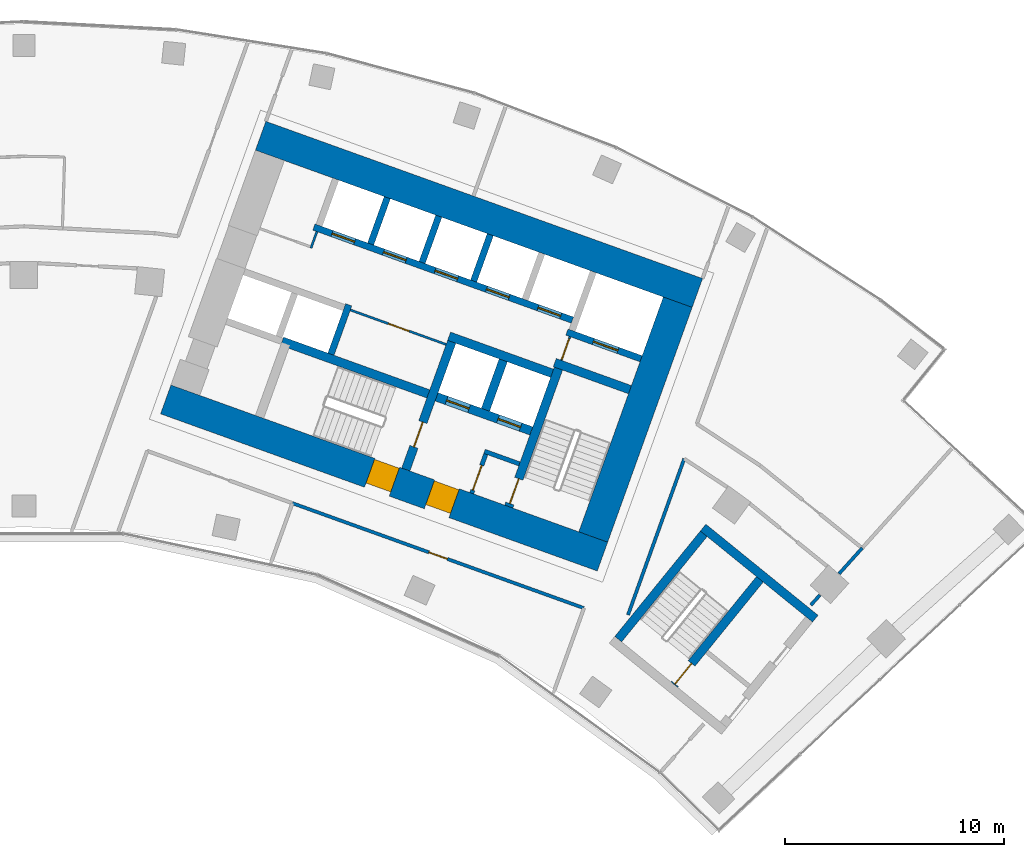
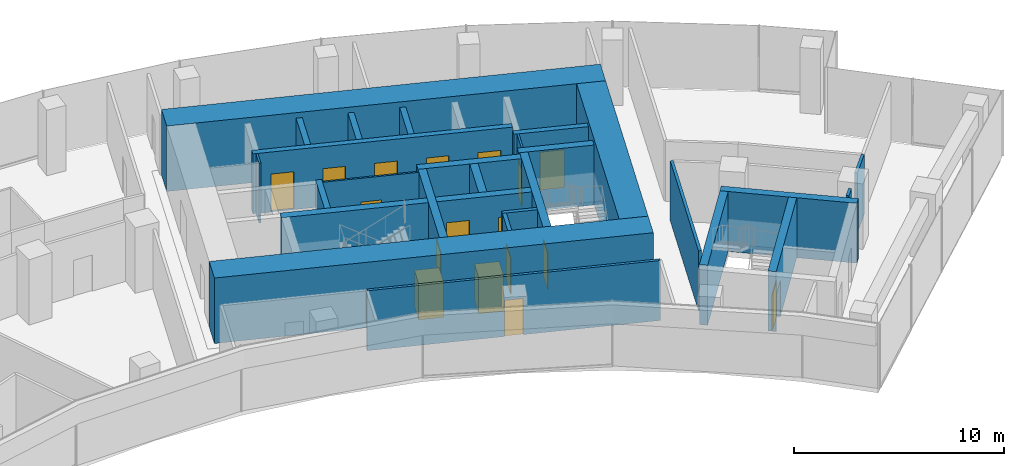
# One storey, part 16 of 20: 27 walls, 17 doors, 17 openings.
"""IFC4 building model written with IfcOpenShell, lengths in metres."""

from ifc_helpers import new_model, si_unit, direction, frame, frame_2d, origin, place, context, subcontext, project, spatial, rectangle, extrude, material, layer, layer_set, type_object, element, fill, save


model = new_model("IFC4")

# Units and contexts
model_context = context("Model", 3, precision=1e-05, world=origin(), true_north=direction((0.0, 1.0)))
body_context = subcontext(model_context, "Body", "Model", "MODEL_VIEW")
ifc_project = project(units=[si_unit("LENGTHUNIT", "METRE"), si_unit("AREAUNIT", "SQUARE_METRE"), si_unit("VOLUMEUNIT", "CUBIC_METRE"), si_unit("PLANEANGLEUNIT", "RADIAN"), si_unit("MASSUNIT", "GRAM", prefix="KILO")], contexts=[model_context])

# Site, building, storey
site_placement = place(None, origin())
site = spatial("IfcSite", under=ifc_project, at=site_placement, CompositionType="ELEMENT")
building_placement = place(site_placement, origin())
building = spatial("IfcBuilding", under=site, at=building_placement, Name="Stone Belt Terrace Tower", CompositionType="ELEMENT")
storey_placement = place(building_placement, frame((0.0, 0.0, 185.800048828125)))
storey = spatial("IfcBuildingStorey", under=building, at=storey_placement, Name="L45", CompositionType="ELEMENT", Elevation=185.800048828125)

# Wall, opening, door
ifc_material_1 = material(Name="Plasterboard partition")
ifc_layer_1 = layer(ifc_material_1, 0.10009765625)
ifc_layer_set_1 = layer_set([ifc_layer_1], Name="Core partition 100")
wall_type_1 = type_object("IfcWallType", Name="Core partition 100", PredefinedType="PARTITIONING", material=ifc_layer_set_1)
wall_1_placement = place(storey_placement, frame((24.555908203125, 51.10400390625, 0.0), z_axis=(0.0, 0.0, 1.0), x_axis=(0.338621735342, 0.94092258999, 0.0)))
wall_1 = element("IfcWall", 1, at=wall_1_placement, inside=storey, type_object=wall_type_1, Name="Core B wall", PredefinedType="PARTITIONING", context=body_context, shape_type="SweptSolid", body=[
    extrude(rectangle(XDim=1.14990234375, YDim=0.10009765625, at=frame_2d((0.574951171875, 0.0))), origin(), (0.0, 0.0, 1.0), 3.47998046875),
])
opening_1_placement = place(wall_1_placement, frame((0.050048828125, 0.0, 0.0)))
opening_1 = element("IfcOpeningElement", 2, at=opening_1_placement, cuts=wall_1, Name="Opening L45-C13", PredefinedType="OPENING", context=body_context, shape_type="SweptSolid", body=[
    extrude(rectangle(XDim=1.0, YDim=2.10009765625, at=frame_2d((0.5, 1.050048828125))), frame((0.0, 0.06005859375, 0.0), z_axis=(0.0, -1.0, 0.0), x_axis=(1.0, 0.0, 0.0)), (0.0, 0.0, 1.0), 0.1201171875),
])
ifc_material_2 = material(Name="Timber door leaf", Category="wood")
door_type_1 = type_object("IfcDoorType", Name="Core room door 1000", OperationType="SINGLE_SWING_LEFT", PredefinedType="DOOR", material=ifc_material_2)
door_1_placement = place(opening_1_placement, origin())
door_1 = element("IfcDoor", 3, at=door_1_placement, inside=storey, type_object=door_type_1, Name="Service lift lobby door core B", OperationType="SINGLE_SWING_LEFT", OverallHeight=2.10009765625, OverallWidth=1.0, PredefinedType="DOOR", context=body_context, shape_type="SweptSolid", body=[
    extrude(rectangle(XDim=1.0, YDim=2.10009765625, at=frame_2d((0.5, 1.050048828125))), frame((0.0, 0.02490234375, 0.0), z_axis=(0.0, -1.0, 0.0), x_axis=(1.0, 0.0, 0.0)), (0.0, 0.0, 1.0), 0.050048828125),
])
fill(opening_1, door_1)

wall_2_placement = place(storey_placement, frame((19.29052734375, 51.829833984375, 0.0), z_axis=(0.0, 0.0, 1.0), x_axis=(-0.940930240745, 0.338600475563, 0.0)))
wall_2 = element("IfcWall", 4, at=wall_2_placement, inside=storey, type_object=wall_type_1, Name="Core B wall", PredefinedType="PARTITIONING", context=body_context, shape_type="SweptSolid", body=[
    extrude(rectangle(XDim=4.64990234375, YDim=0.10009765625, at=frame_2d((2.324951171875, 0.0))), origin(), (0.0, 0.0, 1.0), 3.47998046875),
])
opening_2_placement = place(wall_2_placement, frame((1.800048828125, 0.0, 0.0)))
opening_2 = element("IfcOpeningElement", 5, at=opening_2_placement, cuts=wall_2, Name="Opening L45-C12", PredefinedType="OPENING", context=body_context, shape_type="SweptSolid", body=[
    extrude(rectangle(XDim=1.0, YDim=2.10009765625, at=frame_2d((0.5, 1.050048828125))), frame((0.0, 0.06005859375, 0.0), z_axis=(0.0, -1.0, 0.0), x_axis=(1.0, 0.0, 0.0)), (0.0, 0.0, 1.0), 0.1201171875),
])
door_2_placement = place(opening_2_placement, origin())
door_2 = element("IfcDoor", 6, at=door_2_placement, inside=storey, type_object=door_type_1, Name="Door to Staff pantry core B", OperationType="SINGLE_SWING_LEFT", OverallHeight=2.10009765625, OverallWidth=1.0, PredefinedType="DOOR", context=body_context, shape_type="SweptSolid", body=[
    extrude(rectangle(XDim=1.0, YDim=2.10009765625, at=frame_2d((0.5, 1.050048828125))), frame((0.0, 0.02490234375, 0.0), z_axis=(0.0, -1.0, 0.0), x_axis=(1.0, 0.0, 0.0)), (0.0, 0.0, 1.0), 0.050048828125),
])
fill(opening_2, door_2)

# Wall
wall_3_placement = place(storey_placement, frame((13.115966796875, 56.230712890625, 0.0), z_axis=(0.0, 0.0, 1.0), x_axis=(0.338481684961, 0.940972979923, 0.0)))
element("IfcWall", 7, at=wall_3_placement, inside=storey, type_object=wall_type_1, Name="Core B wall", PredefinedType="PARTITIONING", context=body_context, shape_type="SweptSolid", body=[
    extrude(rectangle(XDim=0.7998046875, YDim=0.10009765625, at=frame_2d((0.39990234375, 0.0))), origin(), (0.0, 0.0, 1.0), 3.47998046875),
])

# Wall, openings, doors
ifc_material_3 = material(Name="Concrete B80", Category="concrete")
ifc_layer_2 = layer(ifc_material_3, 1.39990234375)
ifc_layer_set_2 = layer_set([ifc_layer_2], Name="Core wall 1400 B80")
wall_type_2 = type_object("IfcWallType", Name="Core wall 1400 B80", PredefinedType="SHEAR", material=ifc_layer_set_2)
wall_4_placement = place(storey_placement, frame((6.4833984375, 49.318115234375, 0.0), z_axis=(0.0, 0.0, 1.0), x_axis=(0.940923374003, -0.33861955681, 0.0)))
wall_4 = element("IfcWall", 8, at=wall_4_placement, inside=storey, type_object=wall_type_2, Name="Core B wall concave L45", PredefinedType="SHEAR", context=body_context, shape_type="SweptSolid", body=[
    extrude(rectangle(XDim=21.199951171875, YDim=1.39990234375, at=frame_2d((10.60009765625, 0.0))), origin(), (0.0, 0.0, 1.0), 3.800048828125),
])
opening_3_placement = place(wall_4_placement, frame((12.800048828125, 0.0, 0.0)))
opening_3 = element("IfcOpeningElement", 9, at=opening_3_placement, cuts=wall_4, Name="Opening L45-C17", PredefinedType="OPENING", context=body_context, shape_type="SweptSolid", body=[
    extrude(rectangle(XDim=1.199951171875, YDim=2.10009765625, at=frame_2d((0.60009765625, 1.050048828125))), frame((0.0, 0.7099609375, 0.0), z_axis=(0.0, -1.0, 0.0), x_axis=(1.0, 0.0, 0.0)), (0.0, 0.0, 1.0), 1.419921875),
])
opening_4_placement = place(wall_4_placement, frame((9.89990234375, 0.0, 0.0)))
opening_4 = element("IfcOpeningElement", 10, at=opening_4_placement, cuts=wall_4, Name="Opening L45-C19", PredefinedType="OPENING", context=body_context, shape_type="SweptSolid", body=[
    extrude(rectangle(XDim=1.199951171875, YDim=2.10009765625, at=frame_2d((0.60009765625, 1.050048828125))), frame((0.0, 0.7099609375, 0.0), z_axis=(0.0, -1.0, 0.0), x_axis=(1.0, 0.0, 0.0)), (0.0, 0.0, 1.0), 1.419921875),
])
ifc_material_4 = material(Name="Steel door leaf", Category="steel")
door_type_2 = type_object("IfcDoorType", Name="Fire-fighting lobby door 1200", OperationType="SINGLE_SWING_LEFT", PredefinedType="DOOR", material=ifc_material_4)
door_3_placement = place(opening_3_placement, origin())
door_3 = element("IfcDoor", 11, at=door_3_placement, inside=storey, type_object=door_type_2, Name="Fire-fighting lobby door core B", OperationType="SINGLE_SWING_LEFT", OverallHeight=2.10009765625, OverallWidth=1.199951171875, PredefinedType="DOOR", context=body_context, shape_type="SweptSolid", body=[
    extrude(rectangle(XDim=1.199951171875, YDim=2.10009765625, at=frame_2d((0.60009765625, 1.050048828125))), frame((0.0, 0.655029296875, 0.0), z_axis=(0.0, -1.0, 0.0), x_axis=(1.0, 0.0, 0.0)), (0.0, 0.0, 1.0), 1.14990234375),
])
fill(opening_3, door_3)
door_type_3 = type_object("IfcDoorType", Name="Stair door 1200", OperationType="SINGLE_SWING_LEFT", PredefinedType="DOOR", material=ifc_material_4)
door_4_placement = place(opening_4_placement, origin())
door_4 = element("IfcDoor", 12, at=door_4_placement, inside=storey, type_object=door_type_3, Name="Stair 2 exit door core B", OperationType="SINGLE_SWING_RIGHT", OverallHeight=2.10009765625, OverallWidth=1.199951171875, PredefinedType="DOOR", context=body_context, shape_type="SweptSolid", body=[
    extrude(rectangle(XDim=1.199951171875, YDim=2.10009765625, at=frame_2d((0.60009765625, 1.050048828125))), frame((0.0, 0.655029296875, 0.0), z_axis=(0.0, -1.0, 0.0), x_axis=(1.0, 0.0, 0.0)), (0.0, 0.0, 1.0), 1.14990234375),
])
fill(opening_4, door_4)

# Walls
wall_5_placement = place(storey_placement, frame((10.81787109375, 61.362060546875, 0.0), z_axis=(0.0, 0.0, 1.0), x_axis=(0.940919704758, -0.338629752382, 0.0)))
element("IfcWall", 13, at=wall_5_placement, inside=storey, type_object=wall_type_2, Name="Core B wall convex L45", PredefinedType="SHEAR", context=body_context, shape_type="SweptSolid", body=[
    extrude(rectangle(XDim=21.199951171875, YDim=1.39990234375, at=frame_2d((10.60009765625, 0.0))), origin(), (0.0, 0.0, 1.0), 3.800048828125),
])
wall_6_placement = place(storey_placement, frame((26.00927734375, 43.03515625, 0.0), z_axis=(0.0, 0.0, 1.0), x_axis=(0.338625431531, 0.940921259788, 0.0)))
element("IfcWall", 14, at=wall_6_placement, inside=storey, type_object=wall_type_2, Name="Core B wall end_b L45", PredefinedType="SHEAR", context=body_context, shape_type="SweptSolid", body=[
    extrude(rectangle(XDim=11.400146484375, YDim=1.39990234375, at=frame_2d((5.7001953125, 0.0))), origin(), (0.0, 0.0, 1.0), 3.800048828125),
])
ifc_layer_3 = layer(ifc_material_3, 0.39990234375)
ifc_layer_set_3 = layer_set([ifc_layer_3], Name="Fire-fighting lift shaft wall 400")
wall_type_3 = type_object("IfcWallType", Name="Fire-fighting lift shaft wall 400", PredefinedType="SHEAR", material=ifc_layer_set_3)
wall_7_placement = place(storey_placement, frame((24.130615234375, 50.512939453125, 0.0), z_axis=(0.0, 0.0, 1.0), x_axis=(-0.94091168377, 0.338652038744, 0.0)))
element("IfcWall", 15, at=wall_7_placement, inside=storey, type_object=wall_type_3, Name="Core B wall", PredefinedType="SHEAR", context=body_context, shape_type="SweptSolid", body=[
    extrude(rectangle(XDim=5.000244140625, YDim=0.39990234375, at=frame_2d((2.5, 0.0))), origin(), (0.0, 0.0, 1.0), 3.47998046875),
])
wall_8_placement = place(storey_placement, frame((21.0859375, 48.845458984375, 0.0), z_axis=(0.0, 0.0, 1.0), x_axis=(0.338629416206, 0.940919825745, 0.0)))
element("IfcWall", 16, at=wall_8_placement, inside=storey, type_object=wall_type_3, Name="Core B wall", PredefinedType="SHEAR", context=body_context, shape_type="SweptSolid", body=[
    extrude(rectangle(XDim=2.400146484375, YDim=0.39990234375, at=frame_2d((1.2001953125, 0.0))), origin(), (0.0, 0.0, 1.0), 3.47998046875),
])

# Wall, opening, door
ifc_layer_4 = layer(ifc_material_3, 0.300048828125)
ifc_layer_set_4 = layer_set([ifc_layer_4], Name="Lift shaft wall 300")
wall_type_4 = type_object("IfcWallType", Name="Lift shaft wall 300", PredefinedType="SHEAR", material=ifc_layer_set_4)
wall_9_placement = place(storey_placement, frame((28.195068359375, 51.17578125, 0.0), z_axis=(0.0, 0.0, 1.0), x_axis=(-0.940901243567, 0.338681044427, 0.0)))
wall_9 = element("IfcWall", 17, at=wall_9_placement, inside=storey, type_object=wall_type_4, Name="Core B wall", PredefinedType="SHEAR", context=body_context, shape_type="SweptSolid", body=[
    extrude(rectangle(XDim=3.599853515625, YDim=0.300048828125, at=frame_2d((1.7998046875, 0.0))), origin(), (0.0, 0.0, 1.0), 3.47998046875),
])
opening_5_placement = place(wall_9_placement, frame((1.1201171875, 0.0, 0.0)))
opening_5 = element("IfcOpeningElement", 18, at=opening_5_placement, cuts=wall_9, Name="Opening L45-LD16", PredefinedType="OPENING", context=body_context, shape_type="SweptSolid", body=[
    extrude(rectangle(XDim=1.199951171875, YDim=2.199951171875, at=frame_2d((0.60009765625, 1.10009765625))), frame((0.0, 0.159912109375, 0.0), z_axis=(0.0, -1.0, 0.0), x_axis=(1.0, 0.0, 0.0)), (0.0, 0.0, 1.0), 0.320068359375),
])
ifc_material_5 = material(Name="Stainless steel door leaf", Category="steel")
door_type_4 = type_object("IfcDoorType", Name="Landing door 1200", OperationType="SLIDING_TO_LEFT", PredefinedType="DOOR", material=ifc_material_5)
door_5_placement = place(opening_5_placement, origin())
door_5 = element("IfcDoor", 19, at=door_5_placement, inside=storey, type_object=door_type_4, Name="Landing door SV1 core B", OperationType="SLIDING_TO_LEFT", OverallHeight=2.199951171875, OverallWidth=1.199951171875, PredefinedType="DOOR", context=body_context, shape_type="SweptSolid", body=[
    extrude(rectangle(XDim=1.199951171875, YDim=2.199951171875, at=frame_2d((0.60009765625, 1.10009765625))), frame((0.0, 0.02490234375, 0.0), z_axis=(0.0, -1.0, 0.0), x_axis=(1.0, 0.0, 0.0)), (0.0, 0.0, 1.0), 0.050048828125),
])
fill(opening_5, door_5)

# Wall, openings, doors
wall_10_placement = place(storey_placement, frame((25.05810546875, 52.9423828125, 0.0), z_axis=(0.0, 0.0, 1.0), x_axis=(-0.940921381676, 0.338625092847, 0.0)))
wall_10 = element("IfcWall", 20, at=wall_10_placement, inside=storey, type_object=wall_type_4, Name="Core B wall", PredefinedType="SHEAR", context=body_context, shape_type="SweptSolid", body=[
    extrude(rectangle(XDim=12.550048828125, YDim=0.300048828125, at=frame_2d((6.27490234375, 0.0))), origin(), (0.0, 0.0, 1.0), 3.47998046875),
])
opening_6_placement = place(wall_10_placement, frame((0.570068359375, 0.0, 0.0)))
opening_6 = element("IfcOpeningElement", 21, at=opening_6_placement, cuts=wall_10, Name="Opening L45-LD09", PredefinedType="OPENING", context=body_context, shape_type="SweptSolid", body=[
    extrude(rectangle(XDim=1.10009765625, YDim=2.199951171875, at=frame_2d((0.550048828125, 1.10009765625))), frame((0.0, 0.159912109375, 0.0), z_axis=(0.0, -1.0, 0.0), x_axis=(1.0, 0.0, 0.0)), (0.0, 0.0, 1.0), 0.320068359375),
])
opening_7_placement = place(wall_10_placement, frame((3.070068359375, 0.0, 0.0)))
opening_7 = element("IfcOpeningElement", 22, at=opening_7_placement, cuts=wall_10, Name="Opening L45-LD10", PredefinedType="OPENING", context=body_context, shape_type="SweptSolid", body=[
    extrude(rectangle(XDim=1.10009765625, YDim=2.199951171875, at=frame_2d((0.550048828125, 1.10009765625))), frame((0.0, 0.159912109375, 0.0), z_axis=(0.0, -1.0, 0.0), x_axis=(1.0, 0.0, 0.0)), (0.0, 0.0, 1.0), 0.320068359375),
])
opening_8_placement = place(wall_10_placement, frame((5.570068359375, 0.0, 0.0)))
opening_8 = element("IfcOpeningElement", 23, at=opening_8_placement, cuts=wall_10, Name="Opening L45-LD11", PredefinedType="OPENING", context=body_context, shape_type="SweptSolid", body=[
    extrude(rectangle(XDim=1.10009765625, YDim=2.199951171875, at=frame_2d((0.550048828125, 1.10009765625))), frame((0.0, 0.159912109375, 0.0), z_axis=(0.0, -1.0, 0.0), x_axis=(1.0, 0.0, 0.0)), (0.0, 0.0, 1.0), 0.320068359375),
])
opening_9_placement = place(wall_10_placement, frame((8.070068359375, 0.0, 0.0)))
opening_9 = element("IfcOpeningElement", 24, at=opening_9_placement, cuts=wall_10, Name="Opening L45-LD12", PredefinedType="OPENING", context=body_context, shape_type="SweptSolid", body=[
    extrude(rectangle(XDim=1.10009765625, YDim=2.199951171875, at=frame_2d((0.550048828125, 1.10009765625))), frame((0.0, 0.159912109375, 0.0), z_axis=(0.0, -1.0, 0.0), x_axis=(1.0, 0.0, 0.0)), (0.0, 0.0, 1.0), 0.320068359375),
])
opening_10_placement = place(wall_10_placement, frame((10.570068359375, 0.0, 0.0)))
opening_10 = element("IfcOpeningElement", 25, at=opening_10_placement, cuts=wall_10, Name="Opening L45-LD13", PredefinedType="OPENING", context=body_context, shape_type="SweptSolid", body=[
    extrude(rectangle(XDim=1.10009765625, YDim=2.199951171875, at=frame_2d((0.550048828125, 1.10009765625))), frame((0.0, 0.159912109375, 0.0), z_axis=(0.0, -1.0, 0.0), x_axis=(1.0, 0.0, 0.0)), (0.0, 0.0, 1.0), 0.320068359375),
])
door_type_5 = type_object("IfcDoorType", Name="Landing door 1100", OperationType="SLIDING_TO_LEFT", PredefinedType="DOOR", material=ifc_material_5)
door_6_placement = place(opening_6_placement, origin())
door_6 = element("IfcDoor", 26, at=door_6_placement, inside=storey, type_object=door_type_5, Name="Landing door MR1 core B", OperationType="SLIDING_TO_LEFT", OverallHeight=2.199951171875, OverallWidth=1.10009765625, PredefinedType="DOOR", context=body_context, shape_type="SweptSolid", body=[
    extrude(rectangle(XDim=1.10009765625, YDim=2.199951171875, at=frame_2d((0.550048828125, 1.10009765625))), frame((0.0, 0.02490234375, 0.0), z_axis=(0.0, -1.0, 0.0), x_axis=(1.0, 0.0, 0.0)), (0.0, 0.0, 1.0), 0.050048828125),
])
fill(opening_6, door_6)
door_7_placement = place(opening_7_placement, origin())
door_7 = element("IfcDoor", 27, at=door_7_placement, inside=storey, type_object=door_type_5, Name="Landing door MR2 core B", OperationType="SLIDING_TO_LEFT", OverallHeight=2.199951171875, OverallWidth=1.10009765625, PredefinedType="DOOR", context=body_context, shape_type="SweptSolid", body=[
    extrude(rectangle(XDim=1.10009765625, YDim=2.199951171875, at=frame_2d((0.550048828125, 1.10009765625))), frame((0.0, 0.02490234375, 0.0), z_axis=(0.0, -1.0, 0.0), x_axis=(1.0, 0.0, 0.0)), (0.0, 0.0, 1.0), 0.050048828125),
])
fill(opening_7, door_7)
door_8_placement = place(opening_8_placement, origin())
door_8 = element("IfcDoor", 28, at=door_8_placement, inside=storey, type_object=door_type_5, Name="Landing door MR3 core B", OperationType="SLIDING_TO_LEFT", OverallHeight=2.199951171875, OverallWidth=1.10009765625, PredefinedType="DOOR", context=body_context, shape_type="SweptSolid", body=[
    extrude(rectangle(XDim=1.10009765625, YDim=2.199951171875, at=frame_2d((0.550048828125, 1.10009765625))), frame((0.0, 0.02490234375, 0.0), z_axis=(0.0, -1.0, 0.0), x_axis=(1.0, 0.0, 0.0)), (0.0, 0.0, 1.0), 0.050048828125),
])
fill(opening_8, door_8)
door_9_placement = place(opening_9_placement, origin())
door_9 = element("IfcDoor", 29, at=door_9_placement, inside=storey, type_object=door_type_5, Name="Landing door MR4 core B", OperationType="SLIDING_TO_LEFT", OverallHeight=2.199951171875, OverallWidth=1.10009765625, PredefinedType="DOOR", context=body_context, shape_type="SweptSolid", body=[
    extrude(rectangle(XDim=1.10009765625, YDim=2.199951171875, at=frame_2d((0.550048828125, 1.10009765625))), frame((0.0, 0.02490234375, 0.0), z_axis=(0.0, -1.0, 0.0), x_axis=(1.0, 0.0, 0.0)), (0.0, 0.0, 1.0), 0.050048828125),
])
fill(opening_9, door_9)
door_10_placement = place(opening_10_placement, origin())
door_10 = element("IfcDoor", 30, at=door_10_placement, inside=storey, type_object=door_type_5, Name="Landing door MR5 core B", OperationType="SLIDING_TO_LEFT", OverallHeight=2.199951171875, OverallWidth=1.10009765625, PredefinedType="DOOR", context=body_context, shape_type="SweptSolid", body=[
    extrude(rectangle(XDim=1.10009765625, YDim=2.199951171875, at=frame_2d((0.550048828125, 1.10009765625))), frame((0.0, 0.02490234375, 0.0), z_axis=(0.0, -1.0, 0.0), x_axis=(1.0, 0.0, 0.0)), (0.0, 0.0, 1.0), 0.050048828125),
])
fill(opening_10, door_10)

# Walls
wall_11_placement = place(storey_placement, frame((20.54541015625, 54.72607421875, 0.0), z_axis=(0.0, 0.0, 1.0), x_axis=(0.338569601369, 0.940941350472, 0.0)))
element("IfcWall", 31, at=wall_11_placement, inside=storey, type_object=wall_type_4, Name="Core B wall", PredefinedType="SHEAR", context=body_context, shape_type="SweptSolid", body=[
    extrude(rectangle(XDim=2.249755859375, YDim=0.300048828125, at=frame_2d((1.125, 0.0))), origin(), (0.0, 0.0, 1.0), 3.47998046875),
])
wall_12_placement = place(storey_placement, frame((18.193115234375, 55.572509765625, 0.0), z_axis=(0.0, 0.0, 1.0), x_axis=(0.338535034312, 0.940953787677, 0.0)))
element("IfcWall", 32, at=wall_12_placement, inside=storey, type_object=wall_type_4, Name="Core B wall", PredefinedType="SHEAR", context=body_context, shape_type="SweptSolid", body=[
    extrude(rectangle(XDim=2.25, YDim=0.300048828125, at=frame_2d((1.125, 0.0))), origin(), (0.0, 0.0, 1.0), 3.47998046875),
])
wall_13_placement = place(storey_placement, frame((14.029052734375, 51.38525390625, 0.0), z_axis=(0.0, 0.0, 1.0), x_axis=(0.338661829791, 0.940908159728, 0.0)))
element("IfcWall", 33, at=wall_13_placement, inside=storey, type_object=wall_type_4, Name="Core B wall", PredefinedType="SHEAR", context=body_context, shape_type="SweptSolid", body=[
    extrude(rectangle(XDim=2.39990234375, YDim=0.300048828125, at=frame_2d((1.199951171875, 0.0))), origin(), (0.0, 0.0, 1.0), 3.47998046875),
])
wall_14_placement = place(storey_placement, frame((15.8408203125, 56.419189453125, 0.0), z_axis=(0.0, 0.0, 1.0), x_axis=(0.338569601369, 0.940941350472, 0.0)))
element("IfcWall", 34, at=wall_14_placement, inside=storey, type_object=wall_type_4, Name="Core B wall", PredefinedType="SHEAR", context=body_context, shape_type="SweptSolid", body=[
    extrude(rectangle(XDim=2.249755859375, YDim=0.300048828125, at=frame_2d((1.125, 0.0))), origin(), (0.0, 0.0, 1.0), 3.47998046875),
])
ifc_material_6 = material(Name="Gypsum board partition")
ifc_layer_5 = layer(ifc_material_6, 0.14990234375)
ifc_layer_set_5 = layer_set([ifc_layer_5], Name="PARTITION 150 EI 60")
wall_type_5 = type_object("IfcWallType", Name="PARTITION 150 EI 60", PredefinedType="PARTITIONING", material=ifc_layer_set_5)
wall_15_placement = place(storey_placement, frame((30.1669921875, 46.612060546875, 0.0), z_axis=(0.0, 0.0, 1.0), x_axis=(-0.338694393991, -0.940896438233, 0.0)))
element("IfcWall", 35, at=wall_15_placement, inside=storey, type_object=wall_type_5, Name="L45/wall/i023", PredefinedType="PARTITIONING", context=body_context, shape_type="SweptSolid", body=[
    extrude(rectangle(XDim=7.585205078125, YDim=0.14990234375, at=frame_2d((3.79248046875, 0.0))), origin(), (0.0, 0.0, 1.0), 3.47998046875),
])

# Wall, opening, door
wall_16_placement = place(storey_placement, frame((25.583984375, 39.787109375, 0.0), z_axis=(0.0, 0.0, 1.0), x_axis=(-0.940910050634, 0.338656576217, 0.0)))
wall_16 = element("IfcWall", 36, at=wall_16_placement, inside=storey, type_object=wall_type_5, Name="L45/wall/i026", PredefinedType="PARTITIONING", context=body_context, shape_type="SweptSolid", body=[
    extrude(rectangle(XDim=14.15869140625, YDim=0.14990234375, at=frame_2d((7.079345703125, 0.0))), origin(), (0.0, 0.0, 1.0), 3.47998046875),
])
opening_11_placement = place(wall_16_placement, frame((6.62939453125, 0.0, 0.0)))
opening_11 = element("IfcOpeningElement", 37, at=opening_11_placement, cuts=wall_16, Name="Opening D-C5-06", PredefinedType="OPENING", context=body_context, shape_type="SweptSolid", body=[
    extrude(rectangle(XDim=0.89990234375, YDim=2.10009765625, at=frame_2d((0.449951171875, 1.050048828125))), frame((0.0, 0.0849609375, 0.0), z_axis=(0.0, -1.0, 0.0), x_axis=(1.0, 0.0, 0.0)), (0.0, 0.0, 1.0), 0.169921875),
])
door_type_6 = type_object("IfcDoorType", Name="OFFICE DOOR 900 X 2100", OperationType="NOTDEFINED", PredefinedType="DOOR", material=ifc_material_2)
door_11_placement = place(opening_11_placement, origin())
door_11 = element("IfcDoor", 38, at=door_11_placement, inside=storey, type_object=door_type_6, Name="L45/door/i06", OperationType="SINGLE_SWING_RIGHT", OverallHeight=2.10009765625, OverallWidth=0.89990234375, PredefinedType="DOOR", context=body_context, shape_type="SweptSolid", body=[
    extrude(rectangle(XDim=0.89990234375, YDim=2.10009765625, at=frame_2d((0.449951171875, 1.050048828125))), frame((0.0, 0.02490234375, 0.0), z_axis=(0.0, -1.0, 0.0), x_axis=(1.0, 0.0, 0.0)), (0.0, 0.0, 1.0), 0.050048828125),
])
fill(opening_11, door_11)

# Walls
wall_17_placement = place(storey_placement, frame((37.240966796875, 41.359375, 0.0), z_axis=(0.0, 0.0, 1.0), x_axis=(0.669093166642, 0.743178534642, 0.0)))
element("IfcWall", 39, at=wall_17_placement, inside=storey, type_object=wall_type_5, Name="L45/wall/i051", PredefinedType="PARTITIONING", context=body_context, shape_type="SweptSolid", body=[
    extrude(rectangle(XDim=1.5751953125, YDim=0.14990234375, at=frame_2d((0.78759765625, 0.0))), origin(), (0.0, 0.0, 1.0), 3.47998046875),
])
wall_18_placement = place(storey_placement, frame((35.946044921875, 39.922119140625, 0.0), z_axis=(0.0, 0.0, 1.0), x_axis=(0.669396665823, 0.742905178192, 0.0)))
element("IfcWall", 40, at=wall_18_placement, inside=storey, type_object=wall_type_5, Name="L45/wall/i052", PredefinedType="PARTITIONING", context=body_context, shape_type="SweptSolid", body=[
    extrude(rectangle(XDim=0.62451171875, YDim=0.14990234375, at=frame_2d((0.312255859375, 0.0))), origin(), (0.0, 0.0, 1.0), 3.47998046875),
])
ifc_material_7 = material(Name="Concrete masonry block", Category="masonry")
ifc_layer_6 = layer(ifc_material_7, 0.199951171875)
ifc_layer_set_6 = layer_set([ifc_layer_6], Name="Rated lobby wall 200")
wall_type_6 = type_object("IfcWallType", Name="Rated lobby wall 200", PredefinedType="PARTITIONING", material=ifc_layer_set_6)
wall_19_placement = place(storey_placement, frame((22.640625, 46.373046875, 0.0), z_axis=(0.0, 0.0, 1.0), x_axis=(-0.940966110313, 0.338500781747, 0.0)))
element("IfcWall", 41, at=wall_19_placement, inside=storey, type_object=wall_type_6, Name="Core B wall", PredefinedType="PARTITIONING", context=body_context, shape_type="SweptSolid", body=[
    extrude(rectangle(XDim=1.699951171875, YDim=0.199951171875, at=frame_2d((0.85009765625, 0.0))), origin(), (0.0, 0.0, 1.0), 3.47998046875),
])

# Wall, opening, door
wall_20_placement = place(storey_placement, frame((20.4580078125, 45.032958984375, 0.0), z_axis=(0.0, 0.0, 1.0), x_axis=(0.338573865316, 0.940939816208, 0.0)))
wall_20 = element("IfcWall", 42, at=wall_20_placement, inside=storey, type_object=wall_type_6, Name="Core B wall", PredefinedType="PARTITIONING", context=body_context, shape_type="SweptSolid", body=[
    extrude(rectangle(XDim=1.900146484375, YDim=0.199951171875, at=frame_2d((0.9501953125, 0.0))), origin(), (0.0, 0.0, 1.0), 3.47998046875),
])
opening_12_placement = place(wall_20_placement, frame((0.14990234375, 0.0, 0.0)))
opening_12 = element("IfcOpeningElement", 43, at=opening_12_placement, cuts=wall_20, Name="Opening L45-C16", PredefinedType="OPENING", context=body_context, shape_type="SweptSolid", body=[
    extrude(rectangle(XDim=1.199951171875, YDim=2.10009765625, at=frame_2d((0.60009765625, 1.050048828125))), frame((0.0, 0.10986328125, 0.0), z_axis=(0.0, -1.0, 0.0), x_axis=(1.0, 0.0, 0.0)), (0.0, 0.0, 1.0), 0.219970703125),
])
door_12_placement = place(opening_12_placement, origin())
door_12 = element("IfcDoor", 44, at=door_12_placement, inside=storey, type_object=door_type_3, Name="Stair airlock door core B", OperationType="SINGLE_SWING_LEFT", OverallHeight=2.10009765625, OverallWidth=1.199951171875, PredefinedType="DOOR", context=body_context, shape_type="SweptSolid", body=[
    extrude(rectangle(XDim=1.199951171875, YDim=2.10009765625, at=frame_2d((0.60009765625, 1.050048828125))), frame((0.0, 0.02490234375, 0.0), z_axis=(0.0, -1.0, 0.0), x_axis=(1.0, 0.0, 0.0)), (0.0, 0.0, 1.0), 0.050048828125),
])
fill(opening_12, door_12)

# Wall
ifc_layer_7 = layer(ifc_material_3, 0.39990234375)
ifc_layer_set_7 = layer_set([ifc_layer_7], Name="Stair enclosure wall 400")
wall_type_7 = type_object("IfcWallType", Name="Stair enclosure wall 400", PredefinedType="SHEAR", material=ifc_layer_set_7)
wall_21_placement = place(storey_placement, frame((27.687255859375, 49.764404296875, 0.0), z_axis=(0.0, 0.0, 1.0), x_axis=(-0.940918954884, 0.338631835981, 0.0)))
element("IfcWall", 45, at=wall_21_placement, inside=storey, type_object=wall_type_7, Name="Core B wall", PredefinedType="SHEAR", context=body_context, shape_type="SweptSolid", body=[
    extrude(rectangle(XDim=3.650146484375, YDim=0.39990234375, at=frame_2d((1.8251953125, 0.0))), origin(), (0.0, 0.0, 1.0), 3.47998046875),
])

# Wall, opening, door
wall_22_placement = place(storey_placement, frame((22.151611328125, 44.42333984375, 0.0), z_axis=(0.0, 0.0, 1.0), x_axis=(0.338625272931, 0.940921316866, 0.0)))
wall_22 = element("IfcWall", 46, at=wall_22_placement, inside=storey, type_object=wall_type_7, Name="Core B wall", PredefinedType="SHEAR", context=body_context, shape_type="SweptSolid", body=[
    extrude(rectangle(XDim=6.699951171875, YDim=0.39990234375, at=frame_2d((3.35009765625, 0.0))), origin(), (0.0, 0.0, 1.0), 3.47998046875),
])
opening_13_placement = place(wall_22_placement, frame((0.14990234375, 0.0, 0.0)))
opening_13 = element("IfcOpeningElement", 47, at=opening_13_placement, cuts=wall_22, Name="Opening L45-C15", PredefinedType="OPENING", context=body_context, shape_type="SweptSolid", body=[
    extrude(rectangle(XDim=1.199951171875, YDim=2.10009765625, at=frame_2d((0.60009765625, 1.050048828125))), frame((0.0, 0.2099609375, 0.0), z_axis=(0.0, -1.0, 0.0), x_axis=(1.0, 0.0, 0.0)), (0.0, 0.0, 1.0), 0.419921875),
])
door_13_placement = place(opening_13_placement, origin())
door_13 = element("IfcDoor", 48, at=door_13_placement, inside=storey, type_object=door_type_3, Name="Stair 1 door core B", OperationType="SINGLE_SWING_LEFT", OverallHeight=2.10009765625, OverallWidth=1.199951171875, PredefinedType="DOOR", context=body_context, shape_type="SweptSolid", body=[
    extrude(rectangle(XDim=1.199951171875, YDim=2.10009765625, at=frame_2d((0.60009765625, 1.050048828125))), frame((0.0, 0.02490234375, 0.0), z_axis=(0.0, -1.0, 0.0), x_axis=(1.0, 0.0, 0.0)), (0.0, 0.0, 1.0), 0.050048828125),
])
fill(opening_13, door_13)

# Wall, openings, doors
wall_23_placement = place(storey_placement, frame((23.182373046875, 47.87841796875, 0.0), z_axis=(0.0, 0.0, 1.0), x_axis=(-0.940921101762, 0.338625870628, 0.0)))
wall_23 = element("IfcWall", 49, at=wall_23_placement, inside=storey, type_object=wall_type_7, Name="Core B wall", PredefinedType="SHEAR", context=body_context, shape_type="SweptSolid", body=[
    extrude(rectangle(XDim=12.10009765625, YDim=0.39990234375, at=frame_2d((6.050048828125, 0.0))), origin(), (0.0, 0.0, 1.0), 3.47998046875),
])
opening_14_placement = place(wall_23_placement, frame((0.52001953125, 0.0, 0.0)))
opening_14 = element("IfcOpeningElement", 50, at=opening_14_placement, cuts=wall_23, Name="Opening L45-LD14", PredefinedType="OPENING", context=body_context, shape_type="SweptSolid", body=[
    extrude(rectangle(XDim=1.10009765625, YDim=2.199951171875, at=frame_2d((0.550048828125, 1.10009765625))), frame((0.0, 0.2099609375, 0.0), z_axis=(0.0, -1.0, 0.0), x_axis=(1.0, 0.0, 0.0)), (0.0, 0.0, 1.0), 0.419921875),
])
opening_15_placement = place(wall_23_placement, frame((3.02001953125, 0.0, 0.0)))
opening_15 = element("IfcOpeningElement", 51, at=opening_15_placement, cuts=wall_23, Name="Opening L45-LD15", PredefinedType="OPENING", context=body_context, shape_type="SweptSolid", body=[
    extrude(rectangle(XDim=1.10009765625, YDim=2.199951171875, at=frame_2d((0.550048828125, 1.10009765625))), frame((0.0, 0.2099609375, 0.0), z_axis=(0.0, -1.0, 0.0), x_axis=(1.0, 0.0, 0.0)), (0.0, 0.0, 1.0), 0.419921875),
])
door_14_placement = place(opening_14_placement, origin())
door_14 = element("IfcDoor", 52, at=door_14_placement, inside=storey, type_object=door_type_5, Name="Landing door FF1 core B", OperationType="SLIDING_TO_LEFT", OverallHeight=2.199951171875, OverallWidth=1.10009765625, PredefinedType="DOOR", context=body_context, shape_type="SweptSolid", body=[
    extrude(rectangle(XDim=1.10009765625, YDim=2.199951171875, at=frame_2d((0.550048828125, 1.10009765625))), frame((0.0, 0.02490234375, 0.0), z_axis=(0.0, -1.0, 0.0), x_axis=(1.0, 0.0, 0.0)), (0.0, 0.0, 1.0), 0.050048828125),
])
fill(opening_14, door_14)
door_15_placement = place(opening_15_placement, origin())
door_15 = element("IfcDoor", 53, at=door_15_placement, inside=storey, type_object=door_type_5, Name="Landing door FF2 core B", OperationType="SLIDING_TO_LEFT", OverallHeight=2.199951171875, OverallWidth=1.10009765625, PredefinedType="DOOR", context=body_context, shape_type="SweptSolid", body=[
    extrude(rectangle(XDim=1.10009765625, YDim=2.199951171875, at=frame_2d((0.550048828125, 1.10009765625))), frame((0.0, 0.02490234375, 0.0), z_axis=(0.0, -1.0, 0.0), x_axis=(1.0, 0.0, 0.0)), (0.0, 0.0, 1.0), 0.050048828125),
])
fill(opening_15, door_15)

# Wall, opening, door
wall_24_placement = place(storey_placement, frame((17.447021484375, 46.116455078125, 0.0), z_axis=(0.0, 0.0, 1.0), x_axis=(0.33860791464, 0.940927563707, 0.0)))
wall_24 = element("IfcWall", 54, at=wall_24_placement, inside=storey, type_object=wall_type_7, Name="Core B wall", PredefinedType="SHEAR", context=body_context, shape_type="SweptSolid", body=[
    extrude(rectangle(XDim=6.199951171875, YDim=0.39990234375, at=frame_2d((3.10009765625, 0.0))), origin(), (0.0, 0.0, 1.0), 3.47998046875),
])
opening_16_placement = place(wall_24_placement, frame((1.10009765625, 0.0, 0.0)))
opening_16 = element("IfcOpeningElement", 55, at=opening_16_placement, cuts=wall_24, Name="Opening L45-C18", PredefinedType="OPENING", context=body_context, shape_type="SweptSolid", body=[
    extrude(rectangle(XDim=1.199951171875, YDim=2.10009765625, at=frame_2d((0.60009765625, 1.050048828125))), frame((0.0, 0.2099609375, 0.0), z_axis=(0.0, -1.0, 0.0), x_axis=(1.0, 0.0, 0.0)), (0.0, 0.0, 1.0), 0.419921875),
])
door_16_placement = place(opening_16_placement, origin())
door_16 = element("IfcDoor", 56, at=door_16_placement, inside=storey, type_object=door_type_3, Name="Stair 2 door core B", OperationType="SINGLE_SWING_LEFT", OverallHeight=2.10009765625, OverallWidth=1.199951171875, PredefinedType="DOOR", context=body_context, shape_type="SweptSolid", body=[
    extrude(rectangle(XDim=1.199951171875, YDim=2.10009765625, at=frame_2d((0.60009765625, 1.050048828125))), frame((0.0, 0.02490234375, 0.0), z_axis=(0.0, -1.0, 0.0), x_axis=(1.0, 0.0, 0.0)), (0.0, 0.0, 1.0), 0.050048828125),
])
fill(opening_16, door_16)

# Walls
wall_25_placement = place(storey_placement, frame((31.02783203125, 43.46337890625, 0.0), z_axis=(0.0, 0.0, 1.0), x_axis=(0.776413760801, -0.630223509589, 0.0)))
element("IfcWall", 57, at=wall_25_placement, inside=storey, type_object=wall_type_7, Name="Exit stair ST3B wall", PredefinedType="SHEAR", context=body_context, shape_type="SweptSolid", body=[
    extrude(rectangle(XDim=6.599853515625, YDim=0.39990234375, at=frame_2d((3.2998046875, 0.0))), origin(), (0.0, 0.0, 1.0), 3.47998046875),
])
wall_26_placement = place(storey_placement, frame((27.149658203125, 38.3681640625, 0.0), z_axis=(0.0, 0.0, 1.0), x_axis=(0.630211551729, 0.776423466973, 0.0)))
element("IfcWall", 58, at=wall_26_placement, inside=storey, type_object=wall_type_7, Name="Exit stair ST3B wall", PredefinedType="SHEAR", context=body_context, shape_type="SweptSolid", body=[
    extrude(rectangle(XDim=6.199951171875, YDim=0.39990234375, at=frame_2d((3.10009765625, 0.0))), origin(), (0.0, 0.0, 1.0), 3.47998046875),
])

# Wall, opening, door
wall_27_placement = place(storey_placement, frame((29.7119140625, 36.288330078125, 0.0), z_axis=(0.0, 0.0, 1.0), x_axis=(0.630192283849, 0.776439106033, 0.0)))
wall_27 = element("IfcWall", 59, at=wall_27_placement, inside=storey, type_object=wall_type_7, Name="Exit stair ST3B wall", PredefinedType="SHEAR", context=body_context, shape_type="SweptSolid", body=[
    extrude(rectangle(XDim=6.199951171875, YDim=0.39990234375, at=frame_2d((3.10009765625, 0.0))), origin(), (0.0, 0.0, 1.0), 3.47998046875),
])
opening_17_placement = place(wall_27_placement, frame((0.050048828125, 0.0, 0.0)))
opening_17 = element("IfcOpeningElement", 60, at=opening_17_placement, cuts=wall_27, Name="Opening L45-C24", PredefinedType="OPENING", context=body_context, shape_type="SweptSolid", body=[
    extrude(rectangle(XDim=1.199951171875, YDim=2.10009765625, at=frame_2d((0.60009765625, 1.050048828125))), frame((0.0, 0.2099609375, 0.0), z_axis=(0.0, -1.0, 0.0), x_axis=(1.0, 0.0, 0.0)), (0.0, 0.0, 1.0), 0.419921875),
])
door_17_placement = place(opening_17_placement, origin())
door_17 = element("IfcDoor", 61, at=door_17_placement, inside=storey, type_object=door_type_3, Name="Stair door ST3B", OperationType="SINGLE_SWING_LEFT", OverallHeight=2.10009765625, OverallWidth=1.199951171875, PredefinedType="DOOR", context=body_context, shape_type="SweptSolid", body=[
    extrude(rectangle(XDim=1.199951171875, YDim=2.10009765625, at=frame_2d((0.60009765625, 1.050048828125))), frame((0.0, 0.02490234375, 0.0), z_axis=(0.0, -1.0, 0.0), x_axis=(1.0, 0.0, 0.0)), (0.0, 0.0, 1.0), 0.050048828125),
])
fill(opening_17, door_17)

save(model, "model.ifc")
